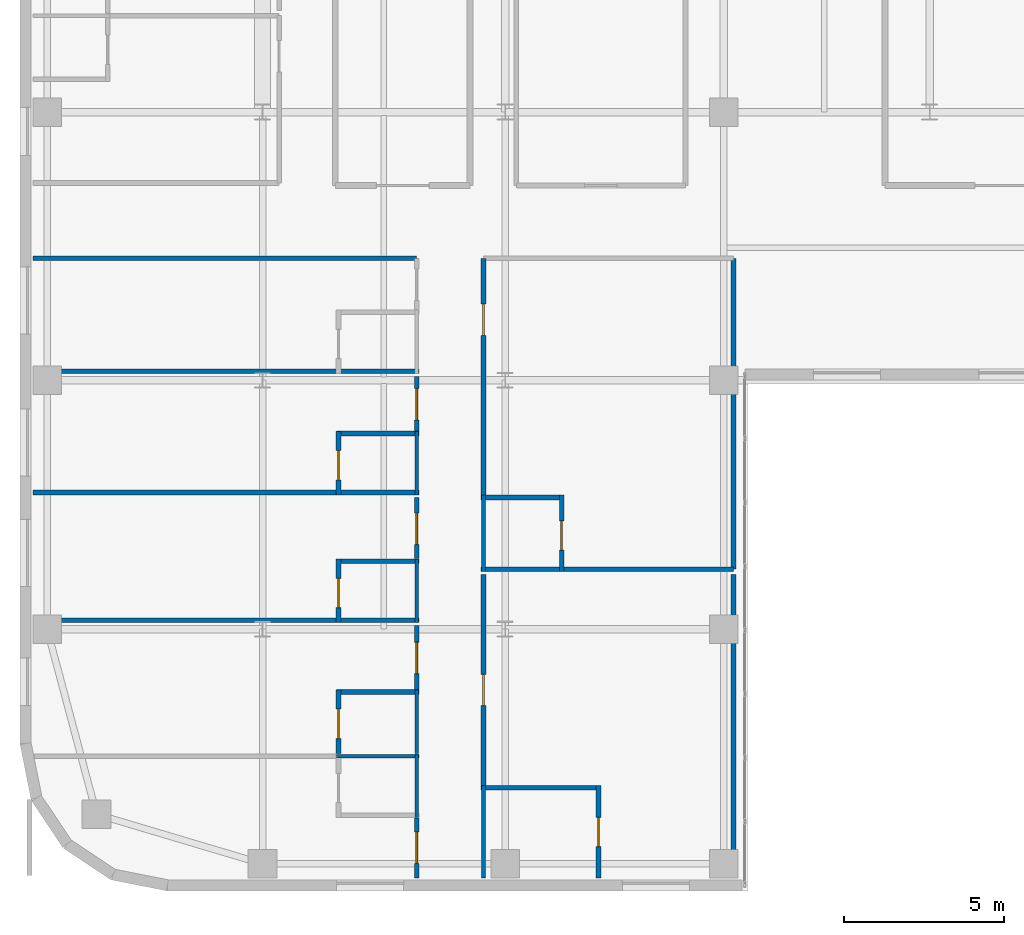
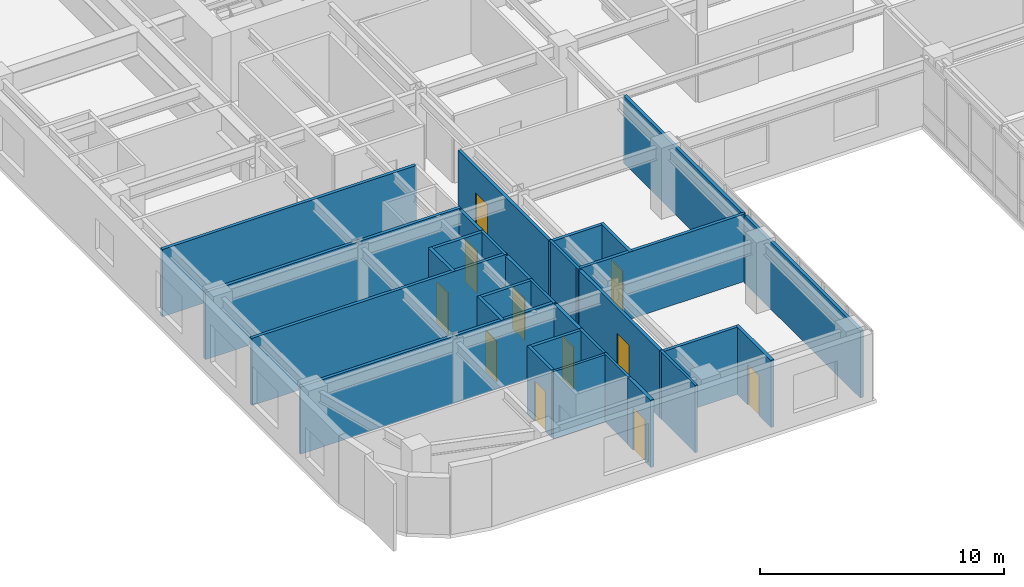
# One storey, part 10 of 16: 30 walls, 11 doors, 11 openings.
"""IFC4 building model written with IfcOpenShell, lengths in metres."""

import ifcopenshell
import ifcopenshell.guid

model = None  # the IFC model being written
_history = None  # IfcOwnerHistory: only IFC2X3 demands one
_inside = {}  # id of a spatial element -> (the spatial element, [elements in it])
_under = {}  # id of a project, library or spatial element -> (it, [spatial elements below it])
_declared = {}  # id of a project -> (the project, [libraries it declares])
_typed = {}  # id of a type object -> (the type object, [elements of that type])
_made_of = {}  # id of a material, layer set ... -> (it, [elements and type objects made of it])


def new_model(schema):
    """Start an empty IFC model of exactly this schema.

    Asked for "IFC4X3", IfcOpenShell would pick the latest addendum, in which some entities
    have other attributes; the version numbers below select the first issue.
    IFC2X3 requires an IfcOwnerHistory on every rooted entity: one is made here for all.
    """
    global model, _history
    if schema == "IFC4X3":
        model = ifcopenshell.file(schema_version=(4, 3, 0, 0))
    else:
        model = ifcopenshell.file(schema=schema)
    _inside.clear()
    _under.clear()
    _declared.clear()
    _typed.clear()
    _made_of.clear()
    _history = None
    if model.schema == "IFC2X3":
        org = make("IfcOrganization", Name="unknown")
        user = make(
            "IfcPersonAndOrganization",
            ThePerson=make("IfcPerson", FamilyName="unknown"),
            TheOrganization=org,
        )
        app = make(
            "IfcApplication",
            ApplicationDeveloper=org,
            Version="unknown",
            ApplicationFullName="unknown",
            ApplicationIdentifier="unknown",
        )
        _history = make(
            "IfcOwnerHistory",
            OwningUser=user,
            OwningApplication=app,
            ChangeAction="ADDED",
            CreationDate=0,
        )
    return model


def make(cls, **values):
    """One entity of the class cls with the attributes given. An attribute that is None is left unset."""
    return model.create_entity(
        cls, **{name: value for name, value in values.items() if value is not None}
    )


def rooted(cls, **values):
    """An entity with a GlobalId (a new one), such as an element, a storey or a relation."""
    return make(cls, GlobalId=ifcopenshell.guid.new(), OwnerHistory=_history, **values)


def si_unit(unit_type, name, prefix=None):
    """IfcSIUnit, for example si_unit("LENGTHUNIT", "METRE", prefix="MILLI")."""
    return make("IfcSIUnit", UnitType=unit_type, Prefix=prefix, Name=name)


def assignment(units):
    """IfcUnitAssignment: the units of a project."""
    return None if units is None else make("IfcUnitAssignment", Units=units)


def point(xyz):
    """IfcCartesianPoint."""
    return None if xyz is None else make("IfcCartesianPoint", Coordinates=xyz)


def direction(xyz):
    """IfcDirection."""
    return None if xyz is None else make("IfcDirection", DirectionRatios=xyz)


def frame(location, z_axis=None, x_axis=None):
    """IfcAxis2Placement3D, a coordinate frame: its origin and axes. An axis left out is left unset."""
    return make(
        "IfcAxis2Placement3D",
        Location=point(location),
        Axis=direction(z_axis),
        RefDirection=direction(x_axis),
    )


def frame_2d(location, x_axis=None):
    """IfcAxis2Placement2D, a coordinate frame in the plane: its origin and x axis."""
    return make(
        "IfcAxis2Placement2D", Location=point(location), RefDirection=direction(x_axis)
    )


def origin():
    """The frame at (0, 0, 0) with its axes left unset."""
    return frame((0.0, 0.0, 0.0))


def place(relative_to, where):
    """IfcLocalPlacement: puts the frame where relative to a parent placement (None: the world)."""
    return make(
        "IfcLocalPlacement", PlacementRelTo=relative_to, RelativePlacement=where
    )


def context(
    kind, dimensions, precision=None, world=None, true_north=None, identifier=None
):
    """IfcGeometricRepresentationContext, for example the 3D "Model" context."""
    return make(
        "IfcGeometricRepresentationContext",
        ContextIdentifier=identifier,
        ContextType=kind,
        CoordinateSpaceDimension=dimensions,
        Precision=precision,
        WorldCoordinateSystem=world,
        TrueNorth=true_north,
    )


def subcontext(parent, identifier, kind, view, scale=None):
    """IfcGeometricRepresentationSubContext, for example "Body" below "Model"."""
    return make(
        "IfcGeometricRepresentationSubContext",
        ContextIdentifier=identifier,
        ContextType=kind,
        ParentContext=parent,
        TargetScale=scale,
        TargetView=view,
    )


def project(units=None, contexts=None):
    """IfcProject with its units and contexts."""
    return rooted(
        "IfcProject",
        Name="project",
        RepresentationContexts=contexts,
        UnitsInContext=assignment(units),
    )


def spatial(cls, under=None, at=None, **own):
    """A site, building, storey or space (cls), placed at a placement, below another one or the project."""
    s = rooted(cls, ObjectPlacement=at, **own)
    if under is not None:
        _under.setdefault(under.id(), (under, []))[1].append(s)
    return s


def profile(cls, at=None, kind="AREA", **sizes):
    """A parametric profile (cls). Its sizes go by their IFC names, for example OverallWidth=200.0."""
    return make(cls, ProfileType=kind, Position=at, **sizes)


def rectangle(**sizes):
    """IfcRectangleProfileDef."""
    return profile("IfcRectangleProfileDef", **sizes)


def extrude(swept, where, along, depth):
    """IfcExtrudedAreaSolid: the profile swept, set in the frame where, extruded along a direction by depth."""
    return make(
        "IfcExtrudedAreaSolid",
        SweptArea=swept,
        Position=where,
        ExtrudedDirection=direction(along),
        Depth=depth,
    )


def shape(context_of_items, identifier, shape_type, items):
    """IfcShapeRepresentation: the items that make up one representation, for example the "Body"."""
    return make(
        "IfcShapeRepresentation",
        ContextOfItems=context_of_items,
        RepresentationIdentifier=identifier,
        RepresentationType=shape_type,
        Items=items,
    )


def source(mapping_origin, context_of_items, identifier, shape_type, items):
    """IfcRepresentationMap: a shape defined once, which mapped items show again and again."""
    return make(
        "IfcRepresentationMap",
        MappingOrigin=mapping_origin,
        MappedRepresentation=shape(context_of_items, identifier, shape_type, items),
    )


def transform(
    local_origin,
    x_axis=None,
    y_axis=None,
    z_axis=None,
    scale=None,
    scale2=None,
    scale3=None,
    uniform=True,
):
    """IfcCartesianTransformationOperator3D, or its non-uniform kind. x_axis, y_axis, z_axis: its Axis1, 2, 3."""
    if uniform:
        return make(
            "IfcCartesianTransformationOperator3D",
            Axis1=direction(x_axis),
            Axis2=direction(y_axis),
            LocalOrigin=point(local_origin),
            Scale=scale,
            Axis3=direction(z_axis),
        )
    return make(
        "IfcCartesianTransformationOperator3DnonUniform",
        Axis1=direction(x_axis),
        Axis2=direction(y_axis),
        LocalOrigin=point(local_origin),
        Scale=scale,
        Axis3=direction(z_axis),
        Scale2=scale2,
        Scale3=scale3,
    )


def mapped(mapping_source, mapping_target):
    """IfcMappedItem: shows the shape of a source again, moved by a transform."""
    return make(
        "IfcMappedItem", MappingSource=mapping_source, MappingTarget=mapping_target
    )


def material(Name=None, Category=None):
    """IfcMaterial."""
    return make("IfcMaterial", Name=Name, Category=Category)


def layer(
    of_material, thickness, ventilated=None, Name=None, Category=None, Priority=None
):
    """IfcMaterialLayer: one layer of a wall or slab, of a material (None: an air gap)."""
    return make(
        "IfcMaterialLayer",
        Material=of_material,
        LayerThickness=thickness,
        IsVentilated=ventilated,
        Name=Name,
        Category=Category,
        Priority=Priority,
    )


def layer_set(layers, Name=None):
    """IfcMaterialLayerSet."""
    return make("IfcMaterialLayerSet", MaterialLayers=layers, LayerSetName=Name)


def made_of(thing, what):
    """Note that an element or type object is made of a material, layer set ...; save() writes the relation."""
    if what is not None:
        _made_of.setdefault(what.id(), (what, []))[1].append(thing)
    return thing


def type_object(cls, material=None, **own):
    """A type object (cls), such as IfcWallType, which elements share."""
    return made_of(rooted(cls, **own), material)


def type_shapes(of_type, sources):
    """Give a type object the sources (RepresentationMaps) that its elements show as mapped items."""
    of_type.RepresentationMaps = sources


def element(
    cls,
    number,
    at=None,
    inside=None,
    cuts=None,
    type_object=None,
    material=None,
    context=None,
    identifier="Body",
    shape_type=None,
    held_by="IfcProductDefinitionShape",
    body=None,
    shapes=None,
    **own,
):
    """One element of the class cls, such as IfcWall. Its Tag is "e" and its number.

    at: its placement. inside: the storey or other place that contains it. cuts: it is an
    opening in that element (IfcRelVoidsElement). A single representation is given by context,
    identifier, shape_type and body (its items); several are given by shapes. held_by: the class
    of the entity that holds the representations. save() writes the other relations.
    """
    e = rooted(cls, Tag="e%d" % number, ObjectPlacement=at, **own)
    if body is not None:
        shapes = [shape(context, identifier, shape_type, body)]
    if shapes is not None:
        e.Representation = make(held_by, Representations=shapes)
    if inside is not None:
        _inside.setdefault(inside.id(), (inside, []))[1].append(e)
    if cuts is not None:
        rooted(
            "IfcRelVoidsElement", RelatingBuildingElement=cuts, RelatedOpeningElement=e
        )
    if type_object is not None:
        _typed.setdefault(type_object.id(), (type_object, []))[1].append(e)
    return made_of(e, material)


def fill(opening, filler):
    """IfcRelFillsElement: the door or window that sits in an opening."""
    return rooted(
        "IfcRelFillsElement",
        RelatingOpeningElement=opening,
        RelatedBuildingElement=filler,
    )


def aggregate(whole, parts):
    """IfcRelAggregates: a whole, such as a stair, and the parts it consists of."""
    return rooted("IfcRelAggregates", RelatingObject=whole, RelatedObjects=parts)


def save(model, path):
    """Write the relations noted so far, then the file.

    IfcRelAggregates (storeys below a building ...), IfcRelContainedInSpatialStructure (elements
    in a storey), IfcRelDefinesByType, IfcRelAssociatesMaterial and IfcRelDeclares: one each for
    every whole, place, type object, material and project.
    """
    for whole, parts in _under.values():
        aggregate(whole, parts)
    for where, things in _inside.values():
        rooted(
            "IfcRelContainedInSpatialStructure",
            RelatedElements=things,
            RelatingStructure=where,
        )
    for kind, things in _typed.values():
        rooted("IfcRelDefinesByType", RelatedObjects=things, RelatingType=kind)
    for what, things in _made_of.values():
        rooted("IfcRelAssociatesMaterial", RelatedObjects=things, RelatingMaterial=what)
    for by, libraries in _declared.values():
        rooted("IfcRelDeclares", RelatingContext=by, RelatedDefinitions=libraries)
    model.write(path)


model = new_model("IFC4")

# Units and contexts
model_context = context("Model", 3, precision=1e-05, world=origin(), true_north=direction((0.0, 1.0)))
body_context = subcontext(model_context, "Body", "Model", "MODEL_VIEW")
ifc_project = project(units=[si_unit("LENGTHUNIT", "METRE"), si_unit("AREAUNIT", "SQUARE_METRE"), si_unit("VOLUMEUNIT", "CUBIC_METRE"), si_unit("PLANEANGLEUNIT", "RADIAN"), si_unit("MASSUNIT", "GRAM", prefix="KILO")], contexts=[model_context])

# Site, building, storey
site_placement = place(None, origin())
site = spatial("IfcSite", under=ifc_project, at=site_placement, CompositionType="ELEMENT")
building_placement = place(site_placement, origin())
building = spatial("IfcBuilding", under=site, at=building_placement, Name="Tolvann Quenvar Hotel", CompositionType="ELEMENT")
storey_placement = place(building_placement, frame((0.0, 0.0, 85.25)))
storey = spatial("IfcBuildingStorey", under=building, at=storey_placement, Name="L21", CompositionType="ELEMENT", Elevation=85.25)

# Walls
ifc_material_1 = material(Name="Moisture-resistant acoustic plumbing wall assembly")
ifc_layer_1 = layer(ifc_material_1, 0.1201171875)
ifc_layer_set_1 = layer_set([ifc_layer_1], Name="Moisture-resistant acoustic plumbing wall assembly")
wall_type_1 = type_object("IfcWallType", Name="WALL_PART_BATH_120", PredefinedType="PLUMBINGWALL", material=ifc_layer_set_1)
wall_1_placement = place(storey_placement, frame((9.909912109375, 4.219970703125, 0.0), z_axis=(0.0, 0.0, 1.0), x_axis=(1.0, 0.0, 0.0)))
element("IfcWall", 1, at=wall_1_placement, inside=storey, type_object=wall_type_1, Name="Non-Rated Plumbing Partition PT-SPC-L21-ENS-WO01-N", PredefinedType="PLUMBINGWALL", context=body_context, shape_type="SweptSolid", body=[
    extrude(rectangle(XDim=2.590087890625, YDim=0.1201171875, at=frame_2d((1.294921875, 0.0))), origin(), (0.0, 0.0, 1.0), 3.3701171875),
])
for number, where, z_axis, x_axis, name in (
    (2, (12.429931640625, 2.300048828125, 0.0), (0.0, 0.0, 1.0), (0.0, 1.0, 0.0), "Non-Rated Plumbing Partition PT-SPC-L21-ENS-WO01-E"),
    (3, (12.429931640625, 4.31005859375, 0.0), (0.0, 0.0, 1.0), (0.0, 1.0, 0.0), "Non-Rated Plumbing Partition PT-SPC-L21-ENS-WO02-E"),
    (4, (12.429931640625, 8.409912109375, 0.0), (0.0, 0.0, 1.0), (0.0, 1.0, 0.0), "Non-Rated Plumbing Partition PT-SPC-L21-ENS-WO03-E"),
    (5, (12.429931640625, 12.409912109375, 0.0), (0.0, 0.0, 1.0), (0.0, 1.0, 0.0), "Non-Rated Plumbing Partition PT-SPC-L21-ENS-WO04-E"),
):
    element("IfcWall", number, at=place(storey_placement, frame(where, z_axis=z_axis, x_axis=x_axis)), inside=storey, type_object=wall_type_1, Name=name, PredefinedType="PLUMBINGWALL", context=body_context, shape_type="SweptSolid", body=[
        extrude(rectangle(XDim=1.989990234375, YDim=0.1201171875, at=frame_2d((0.9951171875, 0.0))), origin(), (0.0, 0.0, 1.0), 3.3701171875),
    ])
wall_2_placement = place(storey_placement, frame((14.52001953125, 0.405029296875, 0.0), z_axis=(0.0, 0.0, 1.0), x_axis=(0.0, 1.0, 0.0)))
element("IfcWall", 6, at=wall_2_placement, inside=storey, type_object=wall_type_1, Name="Non-Rated Plumbing Partition PT-SPC-L21-ENS-WI01-W", PredefinedType="PLUMBINGWALL", context=body_context, shape_type="SweptSolid", body=[
    extrude(rectangle(XDim=2.89501953125, YDim=0.1201171875, at=frame_2d((1.447509765625, 0.0))), origin(), (0.0, 0.0, 1.0), 3.3701171875),
])
wall_3_placement = place(storey_placement, frame((14.52001953125, 10.010009765625, 0.0), z_axis=(0.0, 0.0, 1.0), x_axis=(0.0, 1.0, 0.0)))
element("IfcWall", 7, at=wall_3_placement, inside=storey, type_object=wall_type_1, Name="Non-Rated Plumbing Partition PT-SPC-L21-ENS-WI02-W", PredefinedType="PLUMBINGWALL", context=body_context, shape_type="SweptSolid", body=[
    extrude(rectangle(XDim=2.389892578125, YDim=0.1201171875, at=frame_2d((1.19482421875, 0.0))), origin(), (0.0, 0.0, 1.0), 3.3701171875),
])

# Wall, opening, door
ifc_material_2 = material(Name="Acoustic twin-stud fire-rated gypsum plasterboard partition")
ifc_layer_2 = layer(ifc_material_2, 0.14990234375)
ifc_layer_set_2 = layer_set([ifc_layer_2], Name="Acoustic twin-stud fire-rated gypsum plasterboard partition")
wall_type_2 = type_object("IfcWallType", Name="WALL_PART_SUITE_150", PredefinedType="PARTITIONING", material=ifc_layer_set_2)
wall_4_placement = place(storey_placement, frame((9.97998046875, 4.31005859375, 0.0), z_axis=(0.0, 0.0, 1.0), x_axis=(0.0, 1.0, 0.0)))
wall_4 = element("IfcWall", 8, at=wall_4_placement, inside=storey, type_object=wall_type_2, Name="Interior Partition PT-SPC-L21-ENS-WO02-ENT", PredefinedType="PARTITIONING", context=body_context, shape_type="SweptSolid", body=[
    extrude(rectangle(XDim=1.989990234375, YDim=0.14990234375, at=frame_2d((0.9951171875, 0.0))), origin(), (0.0, 0.0, 1.0), 3.3701171875),
])
opening_1_placement = place(wall_4_placement, frame((0.465087890625, 0.0, 0.0)))
opening_1 = element("IfcOpeningElement", 9, at=opening_1_placement, cuts=wall_4, Name="Opening WD-01", PredefinedType="OPENING", context=body_context, shape_type="SweptSolid", body=[
    extrude(rectangle(XDim=0.919921875, YDim=2.010009765625, at=frame_2d((0.4599609375, 1.0048828125))), frame((0.0, 0.0849609375, 0.0), z_axis=(0.0, -1.0, 0.0), x_axis=(1.0, 0.0, 0.0)), (0.0, 0.0, 1.0), 0.169921875),
])
ifc_material_3 = material(Name="Solid-core American oak acoustic fire door leaf in steel frame", Category="steel")
door_type_1 = type_object("IfcDoorType", Name="DOOR_WC_920", OperationType="NOTDEFINED", PredefinedType="DOOR", material=ifc_material_3)
shared_shape_1 = source(origin(), body_context, "Body", "SweptSolid", [
    extrude(rectangle(XDim=0.919921875, YDim=2.010009765625, at=frame_2d((0.4599609375, 1.0048828125))), frame((0.0, 0.02490234375, 0.0), z_axis=(0.0, -1.0, 0.0), x_axis=(1.0, 0.0, 0.0)), (0.0, 0.0, 1.0), 0.050048828125),
])
type_shapes(door_type_1, [shared_shape_1])
door_1_placement = place(opening_1_placement, origin())
door_1 = element("IfcDoor", 10, at=door_1_placement, inside=storey, type_object=door_type_1, Name="Interior Door DOOR-SPC-L21-ENS-WO02", OperationType="SINGLE_SWING_LEFT", OverallHeight=2.010009765625, OverallWidth=0.919921875, PredefinedType="DOOR", context=body_context, shape_type="MappedRepresentation", body=[
    mapped(shared_shape_1, transform((0.0, 0.0, 0.0), x_axis=(1.0, 0.0, 0.0), y_axis=(0.0, 1.0, 0.0), z_axis=(0.0, 0.0, 1.0), scale=1.0)),
])
fill(opening_1, door_1)

# Wall
wall_5_placement = place(storey_placement, frame((9.909912109375, 6.22998046875, 0.0), z_axis=(0.0, 0.0, 1.0), x_axis=(1.0, 0.0, 0.0)))
element("IfcWall", 11, at=wall_5_placement, inside=storey, type_object=wall_type_2, Name="Interior Partition PT-SPC-L21-ENS-WO02-N", PredefinedType="PARTITIONING", context=body_context, shape_type="SweptSolid", body=[
    extrude(rectangle(XDim=2.590087890625, YDim=0.14990234375, at=frame_2d((1.294921875, 0.0))), origin(), (0.0, 0.0, 1.0), 3.3701171875),
])

# Wall, opening, door
wall_6_placement = place(storey_placement, frame((9.97998046875, 8.409912109375, 0.0), z_axis=(0.0, 0.0, 1.0), x_axis=(0.0, 1.0, 0.0)))
wall_6 = element("IfcWall", 12, at=wall_6_placement, inside=storey, type_object=wall_type_2, Name="Interior Partition PT-SPC-L21-ENS-WO03-ENT", PredefinedType="PARTITIONING", context=body_context, shape_type="SweptSolid", body=[
    extrude(rectangle(XDim=1.989990234375, YDim=0.14990234375, at=frame_2d((0.9951171875, 0.0))), origin(), (0.0, 0.0, 1.0), 3.3701171875),
])
opening_2_placement = place(wall_6_placement, frame((0.465087890625, 0.0, 0.0)))
opening_2 = element("IfcOpeningElement", 13, at=opening_2_placement, cuts=wall_6, Name="Opening WD-01", PredefinedType="OPENING", context=body_context, shape_type="SweptSolid", body=[
    extrude(rectangle(XDim=0.919921875, YDim=2.010009765625, at=frame_2d((0.4599609375, 1.0048828125))), frame((0.0, 0.0849609375, 0.0), z_axis=(0.0, -1.0, 0.0), x_axis=(1.0, 0.0, 0.0)), (0.0, 0.0, 1.0), 0.169921875),
])
door_2_placement = place(opening_2_placement, origin())
door_2 = element("IfcDoor", 14, at=door_2_placement, inside=storey, type_object=door_type_1, Name="Interior Door DOOR-SPC-L21-ENS-WO03", OperationType="SINGLE_SWING_RIGHT", OverallHeight=2.010009765625, OverallWidth=0.919921875, PredefinedType="DOOR", context=body_context, shape_type="MappedRepresentation", body=[
    mapped(shared_shape_1, transform((0.0, 0.0, 0.0), x_axis=(1.0, 0.0, 0.0), y_axis=(0.0, 1.0, 0.0), z_axis=(0.0, 0.0, 1.0), scale=1.0)),
])
fill(opening_2, door_2)

# Walls
wall_7_placement = place(storey_placement, frame((0.405029296875, 8.47998046875, 0.0), z_axis=(0.0, 0.0, 1.0), x_axis=(1.0, 0.0, 0.0)))
element("IfcWall", 15, at=wall_7_placement, inside=storey, type_object=wall_type_2, Name="Interior Partition PT-SPC-L21-ENS-WO03-S", PredefinedType="PARTITIONING", context=body_context, shape_type="SweptSolid", body=[
    extrude(rectangle(XDim=12.094970703125, YDim=0.14990234375, at=frame_2d((6.04736328125, 0.0))), origin(), (0.0, 0.0, 1.0), 3.3701171875),
])
wall_8_placement = place(storey_placement, frame((9.909912109375, 10.330078125, 0.0), z_axis=(0.0, 0.0, 1.0), x_axis=(1.0, 0.0, 0.0)))
element("IfcWall", 16, at=wall_8_placement, inside=storey, type_object=wall_type_2, Name="Interior Partition PT-SPC-L21-ENS-WO03-N", PredefinedType="PARTITIONING", context=body_context, shape_type="SweptSolid", body=[
    extrude(rectangle(XDim=2.590087890625, YDim=0.14990234375, at=frame_2d((1.294921875, 0.0))), origin(), (0.0, 0.0, 1.0), 3.3701171875),
])

# Wall, opening, door
wall_9_placement = place(storey_placement, frame((9.97998046875, 12.409912109375, 0.0), z_axis=(0.0, 0.0, 1.0), x_axis=(0.0, 1.0, 0.0)))
wall_9 = element("IfcWall", 17, at=wall_9_placement, inside=storey, type_object=wall_type_2, Name="Interior Partition PT-SPC-L21-ENS-WO04-ENT", PredefinedType="PARTITIONING", context=body_context, shape_type="SweptSolid", body=[
    extrude(rectangle(XDim=1.989990234375, YDim=0.14990234375, at=frame_2d((0.9951171875, 0.0))), origin(), (0.0, 0.0, 1.0), 3.3701171875),
])
opening_3_placement = place(wall_9_placement, frame((0.465087890625, 0.0, 0.0)))
opening_3 = element("IfcOpeningElement", 18, at=opening_3_placement, cuts=wall_9, Name="Opening WD-01", PredefinedType="OPENING", context=body_context, shape_type="SweptSolid", body=[
    extrude(rectangle(XDim=0.919921875, YDim=2.010009765625, at=frame_2d((0.4599609375, 1.0048828125))), frame((0.0, 0.0849609375, 0.0), z_axis=(0.0, -1.0, 0.0), x_axis=(1.0, 0.0, 0.0)), (0.0, 0.0, 1.0), 0.169921875),
])
door_3_placement = place(opening_3_placement, origin())
door_3 = element("IfcDoor", 19, at=door_3_placement, inside=storey, type_object=door_type_1, Name="Interior Door DOOR-SPC-L21-ENS-WO04", OperationType="SINGLE_SWING_LEFT", OverallHeight=2.010009765625, OverallWidth=0.919921875, PredefinedType="DOOR", context=body_context, shape_type="MappedRepresentation", body=[
    mapped(shared_shape_1, transform((0.0, 0.0, 0.0), x_axis=(1.0, 0.0, 0.0), y_axis=(0.0, 1.0, 0.0), z_axis=(0.0, 0.0, 1.0), scale=1.0)),
])
fill(opening_3, door_3)

# Walls
wall_10_placement = place(storey_placement, frame((0.405029296875, 12.47998046875, 0.0), z_axis=(0.0, 0.0, 1.0), x_axis=(1.0, 0.0, 0.0)))
element("IfcWall", 20, at=wall_10_placement, inside=storey, type_object=wall_type_2, Name="Interior Partition PT-SPC-L21-ENS-WO04-S", PredefinedType="PARTITIONING", context=body_context, shape_type="SweptSolid", body=[
    extrude(rectangle(XDim=12.094970703125, YDim=0.14990234375, at=frame_2d((6.04736328125, 0.0))), origin(), (0.0, 0.0, 1.0), 3.3701171875),
])
wall_11_placement = place(storey_placement, frame((9.909912109375, 14.330078125, 0.0), z_axis=(0.0, 0.0, 1.0), x_axis=(1.0, 0.0, 0.0)))
element("IfcWall", 21, at=wall_11_placement, inside=storey, type_object=wall_type_2, Name="Interior Partition PT-SPC-L21-ENS-WO04-N", PredefinedType="PARTITIONING", context=body_context, shape_type="SweptSolid", body=[
    extrude(rectangle(XDim=2.590087890625, YDim=0.14990234375, at=frame_2d((1.294921875, 0.0))), origin(), (0.0, 0.0, 1.0), 3.3701171875),
])
wall_12_placement = place(storey_placement, frame((0.405029296875, 16.280029296875, 0.0), z_axis=(0.0, 0.0, 1.0), x_axis=(1.0, 0.0, 0.0)))
element("IfcWall", 22, at=wall_12_placement, inside=storey, type_object=wall_type_2, Name="Interior Partition PT-SPC-L21-ENS-WO05-S", PredefinedType="PARTITIONING", context=body_context, shape_type="SweptSolid", body=[
    extrude(rectangle(XDim=12.094970703125, YDim=0.14990234375, at=frame_2d((6.04736328125, 0.0))), origin(), (0.0, 0.0, 1.0), 3.3701171875),
])

# Wall, opening, door
wall_13_placement = place(storey_placement, frame((18.1201171875, 0.405029296875, 0.0), z_axis=(0.0, 0.0, 1.0), x_axis=(0.0, 1.0, 0.0)))
wall_13 = element("IfcWall", 23, at=wall_13_placement, inside=storey, type_object=wall_type_2, Name="Interior Partition PT-SPC-L21-ENS-WI01-ENT", PredefinedType="PARTITIONING", context=body_context, shape_type="SweptSolid", body=[
    extrude(rectangle(XDim=2.89501953125, YDim=0.14990234375, at=frame_2d((1.447509765625, 0.0))), origin(), (0.0, 0.0, 1.0), 3.3701171875),
])
opening_4_placement = place(wall_13_placement, frame((0.97998046875, 0.0, 0.0)))
opening_4 = element("IfcOpeningElement", 24, at=opening_4_placement, cuts=wall_13, Name="Opening WD-01", PredefinedType="OPENING", context=body_context, shape_type="SweptSolid", body=[
    extrude(rectangle(XDim=0.919921875, YDim=2.010009765625, at=frame_2d((0.4599609375, 1.0048828125))), frame((0.0, 0.0849609375, 0.0), z_axis=(0.0, -1.0, 0.0), x_axis=(1.0, 0.0, 0.0)), (0.0, 0.0, 1.0), 0.169921875),
])
door_4_placement = place(opening_4_placement, origin())
door_4 = element("IfcDoor", 25, at=door_4_placement, inside=storey, type_object=door_type_1, Name="Interior Door DOOR-SPC-L21-ENS-WI01", OperationType="SINGLE_SWING_LEFT", OverallHeight=2.010009765625, OverallWidth=0.919921875, PredefinedType="DOOR", context=body_context, shape_type="MappedRepresentation", body=[
    mapped(shared_shape_1, transform((0.0, 0.0, 0.0), x_axis=(1.0, 0.0, 0.0), y_axis=(0.0, 1.0, 0.0), z_axis=(0.0, 0.0, 1.0), scale=1.0)),
])
fill(opening_4, door_4)

# Wall
wall_14_placement = place(storey_placement, frame((14.449951171875, 3.22998046875, 0.0), z_axis=(0.0, 0.0, 1.0), x_axis=(1.0, 0.0, 0.0)))
element("IfcWall", 26, at=wall_14_placement, inside=storey, type_object=wall_type_2, Name="Interior Partition PT-SPC-L21-ENS-WI01-N", PredefinedType="PARTITIONING", context=body_context, shape_type="SweptSolid", body=[
    extrude(rectangle(XDim=3.739990234375, YDim=0.14990234375, at=frame_2d((1.8701171875, 0.0))), origin(), (0.0, 0.0, 1.0), 3.3701171875),
])

# Wall, opening, door
wall_15_placement = place(storey_placement, frame((16.969970703125, 10.010009765625, 0.0), z_axis=(0.0, 0.0, 1.0), x_axis=(0.0, 1.0, 0.0)))
wall_15 = element("IfcWall", 27, at=wall_15_placement, inside=storey, type_object=wall_type_2, Name="Interior Partition PT-SPC-L21-ENS-WI02-ENT", PredefinedType="PARTITIONING", context=body_context, shape_type="SweptSolid", body=[
    extrude(rectangle(XDim=2.389892578125, YDim=0.14990234375, at=frame_2d((1.19482421875, 0.0))), origin(), (0.0, 0.0, 1.0), 3.3701171875),
])
opening_5_placement = place(wall_15_placement, frame((0.6650390625, 0.0, 0.0)))
opening_5 = element("IfcOpeningElement", 28, at=opening_5_placement, cuts=wall_15, Name="Opening WD-01", PredefinedType="OPENING", context=body_context, shape_type="SweptSolid", body=[
    extrude(rectangle(XDim=0.919921875, YDim=2.010009765625, at=frame_2d((0.4599609375, 1.0048828125))), frame((0.0, 0.0849609375, 0.0), z_axis=(0.0, -1.0, 0.0), x_axis=(1.0, 0.0, 0.0)), (0.0, 0.0, 1.0), 0.169921875),
])
door_5_placement = place(opening_5_placement, origin())
door_5 = element("IfcDoor", 29, at=door_5_placement, inside=storey, type_object=door_type_1, Name="Interior Door DOOR-SPC-L21-ENS-WI02", OperationType="SINGLE_SWING_RIGHT", OverallHeight=2.010009765625, OverallWidth=0.919921875, PredefinedType="DOOR", context=body_context, shape_type="MappedRepresentation", body=[
    mapped(shared_shape_1, transform((0.0, 0.0, 0.0), x_axis=(1.0, 0.0, 0.0), y_axis=(0.0, 1.0, 0.0), z_axis=(0.0, 0.0, 1.0), scale=1.0)),
])
fill(opening_5, door_5)

# Walls
wall_16_placement = place(storey_placement, frame((14.449951171875, 10.080078125, 0.0), z_axis=(0.0, 0.0, 1.0), x_axis=(1.0, 0.0, 0.0)))
element("IfcWall", 30, at=wall_16_placement, inside=storey, type_object=wall_type_2, Name="Interior Partition PT-SPC-L21-ENS-WI02-S", PredefinedType="PARTITIONING", context=body_context, shape_type="SweptSolid", body=[
    extrude(rectangle(XDim=7.900146484375, YDim=0.14990234375, at=frame_2d((3.9501953125, 0.0))), origin(), (0.0, 0.0, 1.0), 3.3701171875),
])
wall_17_placement = place(storey_placement, frame((14.449951171875, 12.330078125, 0.0), z_axis=(0.0, 0.0, 1.0), x_axis=(1.0, 0.0, 0.0)))
element("IfcWall", 31, at=wall_17_placement, inside=storey, type_object=wall_type_2, Name="Interior Partition PT-SPC-L21-ENS-WI02-N", PredefinedType="PARTITIONING", context=body_context, shape_type="SweptSolid", body=[
    extrude(rectangle(XDim=2.590087890625, YDim=0.14990234375, at=frame_2d((1.294921875, 0.0))), origin(), (0.0, 0.0, 1.0), 3.3701171875),
])

# Wall, opening, door
wall_18_placement = place(storey_placement, frame((12.429931640625, 0.405029296875, 0.0), z_axis=(0.0, 0.0, 1.0), x_axis=(0.0, 1.0, 0.0)))
wall_18 = element("IfcWall", 32, at=wall_18_placement, inside=storey, type_object=wall_type_2, Name="Interior Partition PT-SPC-L21-RM-WO01-ENT", PredefinedType="PARTITIONING", context=body_context, shape_type="SweptSolid", body=[
    extrude(rectangle(XDim=1.885009765625, YDim=0.14990234375, at=frame_2d((0.9423828125, 0.0))), origin(), (0.0, 0.0, 1.0), 3.3701171875),
])
opening_6_placement = place(wall_18_placement, frame((0.4599609375, 0.0, 0.0)))
opening_6 = element("IfcOpeningElement", 33, at=opening_6_placement, cuts=wall_18, Name="Opening SD-01", PredefinedType="OPENING", context=body_context, shape_type="SweptSolid", body=[
    extrude(rectangle(XDim=0.97998046875, YDim=2.1201171875, at=frame_2d((0.489990234375, 1.06005859375))), frame((0.0, 0.0849609375, 0.0), z_axis=(0.0, -1.0, 0.0), x_axis=(1.0, 0.0, 0.0)), (0.0, 0.0, 1.0), 0.169921875),
])
door_type_2 = type_object("IfcDoorType", Name="DOOR_SUITE_980", OperationType="NOTDEFINED", PredefinedType="DOOR", material=ifc_material_3)
shared_shape_2 = source(origin(), body_context, "Body", "SweptSolid", [
    extrude(rectangle(XDim=0.97998046875, YDim=2.1201171875, at=frame_2d((0.489990234375, 1.06005859375))), frame((0.0, 0.02490234375, 0.0), z_axis=(0.0, -1.0, 0.0), x_axis=(1.0, 0.0, 0.0)), (0.0, 0.0, 1.0), 0.050048828125),
])
type_shapes(door_type_2, [shared_shape_2])
door_6_placement = place(opening_6_placement, origin())
door_6 = element("IfcDoor", 34, at=door_6_placement, inside=storey, type_object=door_type_2, Name="Interior Door DOOR-SPC-L21-RM-WO01", OperationType="SINGLE_SWING_RIGHT", OverallHeight=2.1201171875, OverallWidth=0.97998046875, PredefinedType="DOOR", context=body_context, shape_type="MappedRepresentation", body=[
    mapped(shared_shape_2, transform((0.0, 0.0, 0.0), x_axis=(1.0, 0.0, 0.0), y_axis=(0.0, 1.0, 0.0), z_axis=(0.0, 0.0, 1.0), scale=1.0)),
])
fill(opening_6, door_6)

wall_19_placement = place(storey_placement, frame((12.429931640625, 6.31005859375, 0.0), z_axis=(0.0, 0.0, 1.0), x_axis=(0.0, 1.0, 0.0)))
wall_19 = element("IfcWall", 35, at=wall_19_placement, inside=storey, type_object=wall_type_2, Name="Interior Partition PT-SPC-L21-RM-WO02-ENT", PredefinedType="PARTITIONING", context=body_context, shape_type="SweptSolid", body=[
    extrude(rectangle(XDim=2.010009765625, YDim=0.14990234375, at=frame_2d((1.0048828125, 0.0))), origin(), (0.0, 0.0, 1.0), 3.3701171875),
])
opening_7_placement = place(wall_19_placement, frame((0.4951171875, 0.0, 0.0)))
opening_7 = element("IfcOpeningElement", 36, at=opening_7_placement, cuts=wall_19, Name="Opening SD-01", PredefinedType="OPENING", context=body_context, shape_type="SweptSolid", body=[
    extrude(rectangle(XDim=0.97998046875, YDim=2.1201171875, at=frame_2d((0.489990234375, 1.06005859375))), frame((0.0, 0.0849609375, 0.0), z_axis=(0.0, -1.0, 0.0), x_axis=(1.0, 0.0, 0.0)), (0.0, 0.0, 1.0), 0.169921875),
])
door_7_placement = place(opening_7_placement, origin())
door_7 = element("IfcDoor", 37, at=door_7_placement, inside=storey, type_object=door_type_2, Name="Interior Door DOOR-SPC-L21-RM-WO02", OperationType="SINGLE_SWING_LEFT", OverallHeight=2.1201171875, OverallWidth=0.97998046875, PredefinedType="DOOR", context=body_context, shape_type="MappedRepresentation", body=[
    mapped(shared_shape_2, transform((0.0, 0.0, 0.0), x_axis=(1.0, 0.0, 0.0), y_axis=(0.0, 1.0, 0.0), z_axis=(0.0, 0.0, 1.0), scale=1.0)),
])
fill(opening_7, door_7)

wall_20_placement = place(storey_placement, frame((12.429931640625, 10.409912109375, 0.0), z_axis=(0.0, 0.0, 1.0), x_axis=(0.0, 1.0, 0.0)))
wall_20 = element("IfcWall", 38, at=wall_20_placement, inside=storey, type_object=wall_type_2, Name="Interior Partition PT-SPC-L21-RM-WO03-ENT", PredefinedType="PARTITIONING", context=body_context, shape_type="SweptSolid", body=[
    extrude(rectangle(XDim=1.91015625, YDim=0.14990234375, at=frame_2d((0.955078125, 0.0))), origin(), (0.0, 0.0, 1.0), 3.3701171875),
])
opening_8_placement = place(wall_20_placement, frame((0.445068359375, 0.0, 0.0)))
opening_8 = element("IfcOpeningElement", 39, at=opening_8_placement, cuts=wall_20, Name="Opening SD-01", PredefinedType="OPENING", context=body_context, shape_type="SweptSolid", body=[
    extrude(rectangle(XDim=0.97998046875, YDim=2.1201171875, at=frame_2d((0.489990234375, 1.06005859375))), frame((0.0, 0.0849609375, 0.0), z_axis=(0.0, -1.0, 0.0), x_axis=(1.0, 0.0, 0.0)), (0.0, 0.0, 1.0), 0.169921875),
])
door_8_placement = place(opening_8_placement, origin())
door_8 = element("IfcDoor", 40, at=door_8_placement, inside=storey, type_object=door_type_2, Name="Interior Door DOOR-SPC-L21-RM-WO03", OperationType="SINGLE_SWING_RIGHT", OverallHeight=2.1201171875, OverallWidth=0.97998046875, PredefinedType="DOOR", context=body_context, shape_type="MappedRepresentation", body=[
    mapped(shared_shape_2, transform((0.0, 0.0, 0.0), x_axis=(1.0, 0.0, 0.0), y_axis=(0.0, 1.0, 0.0), z_axis=(0.0, 0.0, 1.0), scale=1.0)),
])
fill(opening_8, door_8)

wall_21_placement = place(storey_placement, frame((12.429931640625, 14.409912109375, 0.0), z_axis=(0.0, 0.0, 1.0), x_axis=(0.0, 1.0, 0.0)))
wall_21 = element("IfcWall", 41, at=wall_21_placement, inside=storey, type_object=wall_type_2, Name="Interior Partition PT-SPC-L21-RM-WO04-ENT", PredefinedType="PARTITIONING", context=body_context, shape_type="SweptSolid", body=[
    extrude(rectangle(XDim=1.710205078125, YDim=0.14990234375, at=frame_2d((0.85498046875, 0.0))), origin(), (0.0, 0.0, 1.0), 3.3701171875),
])
opening_9_placement = place(wall_21_placement, frame((0.344970703125, 0.0, 0.0)))
opening_9 = element("IfcOpeningElement", 42, at=opening_9_placement, cuts=wall_21, Name="Opening SD-01", PredefinedType="OPENING", context=body_context, shape_type="SweptSolid", body=[
    extrude(rectangle(XDim=0.97998046875, YDim=2.1201171875, at=frame_2d((0.489990234375, 1.06005859375))), frame((0.0, 0.0849609375, 0.0), z_axis=(0.0, -1.0, 0.0), x_axis=(1.0, 0.0, 0.0)), (0.0, 0.0, 1.0), 0.169921875),
])
door_9_placement = place(opening_9_placement, origin())
door_9 = element("IfcDoor", 43, at=door_9_placement, inside=storey, type_object=door_type_2, Name="Interior Door DOOR-SPC-L21-RM-WO04", OperationType="SINGLE_SWING_LEFT", OverallHeight=2.1201171875, OverallWidth=0.97998046875, PredefinedType="DOOR", context=body_context, shape_type="MappedRepresentation", body=[
    mapped(shared_shape_2, transform((0.0, 0.0, 0.0), x_axis=(1.0, 0.0, 0.0), y_axis=(0.0, 1.0, 0.0), z_axis=(0.0, 0.0, 1.0), scale=1.0)),
])
fill(opening_9, door_9)

# Wall
wall_22_placement = place(storey_placement, frame((0.405029296875, 19.820068359375, 0.0), z_axis=(0.0, 0.0, 1.0), x_axis=(1.0, 0.0, 0.0)))
element("IfcWall", 44, at=wall_22_placement, inside=storey, type_object=wall_type_2, Name="Interior Partition PT-SPC-L21-RM-WO05-E5", PredefinedType="PARTITIONING", context=body_context, shape_type="SweptSolid", body=[
    extrude(rectangle(XDim=12.02490234375, YDim=0.14990234375, at=frame_2d((6.012451171875, 0.0))), origin(), (0.0, 0.0, 1.0), 3.3701171875),
])

# Wall, opening, door
wall_23_placement = place(storey_placement, frame((14.52001953125, 3.31005859375, 0.0), z_axis=(0.0, 0.0, 1.0), x_axis=(0.0, 1.0, 0.0)))
wall_23 = element("IfcWall", 45, at=wall_23_placement, inside=storey, type_object=wall_type_2, Name="Interior Partition PT-SPC-L21-RM-WI01-ENT", PredefinedType="PARTITIONING", context=body_context, shape_type="SweptSolid", body=[
    extrude(rectangle(XDim=6.60986328125, YDim=0.14990234375, at=frame_2d((3.304931640625, 0.0))), origin(), (0.0, 0.0, 1.0), 3.3701171875),
])
opening_10_placement = place(wall_23_placement, frame((2.4951171875, 0.0, 0.0)))
opening_10 = element("IfcOpeningElement", 46, at=opening_10_placement, cuts=wall_23, Name="Opening SD-01", PredefinedType="OPENING", context=body_context, shape_type="SweptSolid", body=[
    extrude(rectangle(XDim=0.97998046875, YDim=2.1201171875, at=frame_2d((0.489990234375, 1.06005859375))), frame((0.0, 0.0849609375, 0.0), z_axis=(0.0, -1.0, 0.0), x_axis=(1.0, 0.0, 0.0)), (0.0, 0.0, 1.0), 0.169921875),
])
door_10_placement = place(opening_10_placement, origin())
door_10 = element("IfcDoor", 47, at=door_10_placement, inside=storey, type_object=door_type_2, Name="Interior Door DOOR-SPC-L21-RM-WI01", OperationType="SINGLE_SWING_LEFT", OverallHeight=2.1201171875, OverallWidth=0.97998046875, PredefinedType="DOOR", context=body_context, shape_type="MappedRepresentation", body=[
    mapped(shared_shape_2, transform((0.0, 0.0, 0.0), x_axis=(1.0, 0.0, 0.0), y_axis=(0.0, 1.0, 0.0), z_axis=(0.0, 0.0, 1.0), scale=1.0)),
])
fill(opening_10, door_10)

# Wall
wall_24_placement = place(storey_placement, frame((22.35009765625, 0.405029296875, 0.0), z_axis=(0.0, 0.0, 1.0), x_axis=(0.0, 1.0, 0.0)))
element("IfcWall", 48, at=wall_24_placement, inside=storey, type_object=wall_type_2, Name="Interior Partition PT-SPC-L21-RM-WI01-E4", PredefinedType="PARTITIONING", context=body_context, shape_type="SweptSolid", body=[
    extrude(rectangle(XDim=9.514892578125, YDim=0.14990234375, at=frame_2d((4.75732421875, 0.0))), origin(), (0.0, 0.0, 1.0), 3.3701171875),
])

# Wall, opening, door
wall_25_placement = place(storey_placement, frame((14.52001953125, 12.409912109375, 0.0), z_axis=(0.0, 0.0, 1.0), x_axis=(0.0, 1.0, 0.0)))
wall_25 = element("IfcWall", 49, at=wall_25_placement, inside=storey, type_object=wall_type_2, Name="Interior Partition PT-SPC-L21-RM-WI02-ENT", PredefinedType="PARTITIONING", context=body_context, shape_type="SweptSolid", body=[
    extrude(rectangle(XDim=7.41015625, YDim=0.14990234375, at=frame_2d((3.705078125, 0.0))), origin(), (0.0, 0.0, 1.0), 3.3701171875),
])
opening_11_placement = place(wall_25_placement, frame((4.9951171875, 0.0, 0.0)))
opening_11 = element("IfcOpeningElement", 50, at=opening_11_placement, cuts=wall_25, Name="Opening SD-01", PredefinedType="OPENING", context=body_context, shape_type="SweptSolid", body=[
    extrude(rectangle(XDim=0.97998046875, YDim=2.1201171875, at=frame_2d((0.489990234375, 1.06005859375))), frame((0.0, 0.0849609375, 0.0), z_axis=(0.0, -1.0, 0.0), x_axis=(1.0, 0.0, 0.0)), (0.0, 0.0, 1.0), 0.169921875),
])
door_11_placement = place(opening_11_placement, origin())
door_11 = element("IfcDoor", 51, at=door_11_placement, inside=storey, type_object=door_type_2, Name="Interior Door DOOR-SPC-L21-RM-WI02", OperationType="SINGLE_SWING_RIGHT", OverallHeight=2.1201171875, OverallWidth=0.97998046875, PredefinedType="DOOR", context=body_context, shape_type="MappedRepresentation", body=[
    mapped(shared_shape_2, transform((0.0, 0.0, 0.0), x_axis=(1.0, 0.0, 0.0), y_axis=(0.0, 1.0, 0.0), z_axis=(0.0, 0.0, 1.0), scale=1.0)),
])
fill(opening_11, door_11)

# Wall
wall_26_placement = place(storey_placement, frame((22.35009765625, 10.080078125, 0.0), z_axis=(0.0, 0.0, 1.0), x_axis=(0.0, 1.0, 0.0)))
element("IfcWall", 52, at=wall_26_placement, inside=storey, type_object=wall_type_2, Name="Interior Partition PT-SPC-L21-RM-WI02-E4", PredefinedType="PARTITIONING", context=body_context, shape_type="SweptSolid", body=[
    extrude(rectangle(XDim=9.739990234375, YDim=0.14990234375, at=frame_2d((4.8701171875, 0.0))), origin(), (0.0, 0.0, 1.0), 3.3701171875),
])

save(model, "model.ifc")
